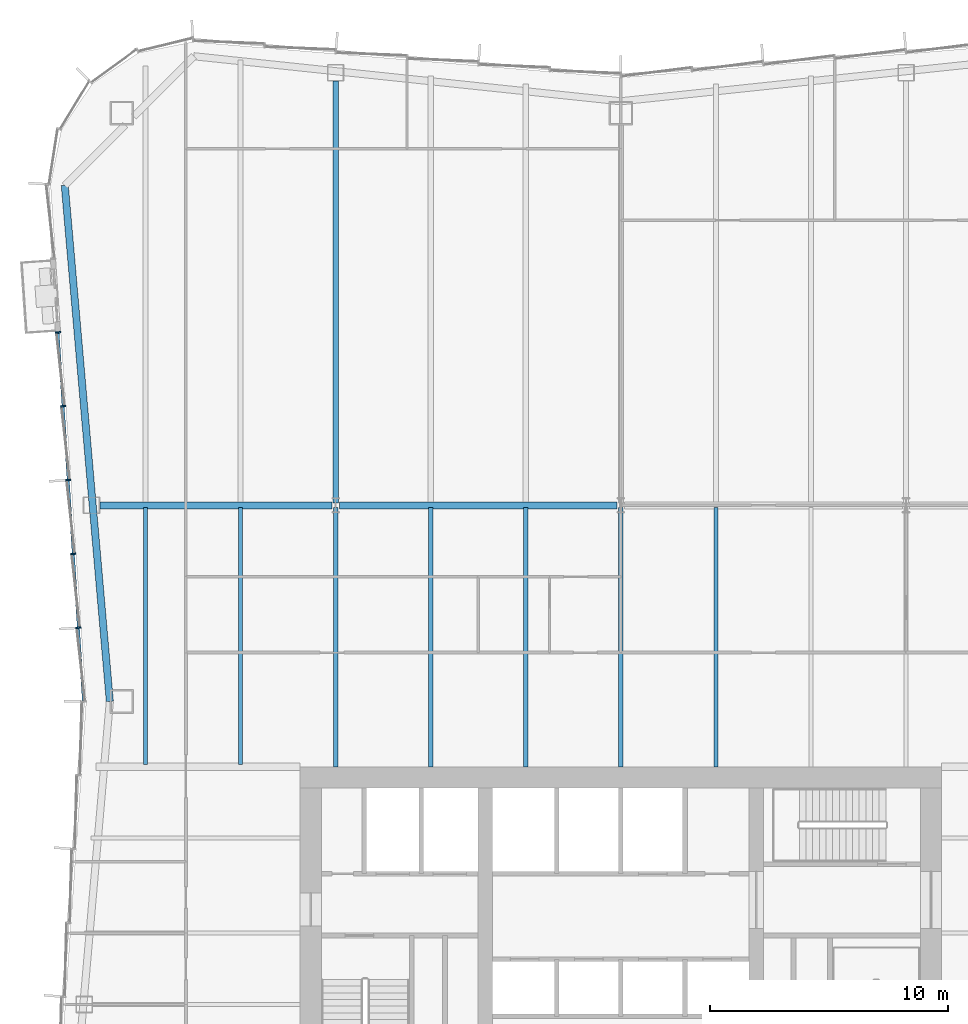
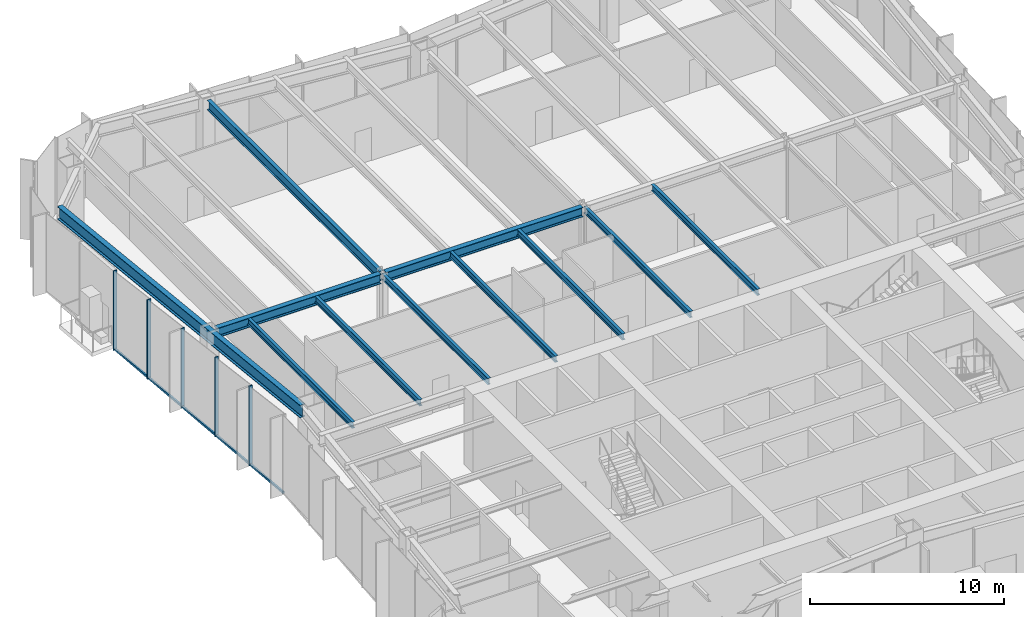
# One storey, part 4 of 16: 11 beams, 6 members, 1 element without a shape of its own.
"""IFC4 building model written with IfcOpenShell, lengths in metres."""

from ifc_helpers import new_model, si_unit, direction, frame, origin, origin_2d, place, context, subcontext, project, spatial, rectangle, i_section, extrude, material, material_profile, profile_set, type_object, element, aggregate, save


model = new_model("IFC4")

# Units and contexts
model_context = context("Model", 3, precision=1e-05, world=origin(), true_north=direction((0.0, 1.0)))
body_context = subcontext(model_context, "Body", "Model", "MODEL_VIEW")
ifc_project = project(units=[si_unit("LENGTHUNIT", "METRE"), si_unit("AREAUNIT", "SQUARE_METRE"), si_unit("VOLUMEUNIT", "CUBIC_METRE"), si_unit("PLANEANGLEUNIT", "RADIAN"), si_unit("MASSUNIT", "GRAM", prefix="KILO")], contexts=[model_context])

# Site, building, storey
site_placement = place(None, origin())
site = spatial("IfcSite", under=ifc_project, at=site_placement, CompositionType="ELEMENT")
building_placement = place(site_placement, origin())
building = spatial("IfcBuilding", under=site, at=building_placement, Name="Verdant Reach Tower", CompositionType="ELEMENT")
storey_placement = place(building_placement, frame((0.0, 0.0, 177.0)))
storey = spatial("IfcBuildingStorey", under=building, at=storey_placement, Name="L40", CompositionType="ELEMENT", Elevation=177.0)

# Curtain wall, members
ifc_material_1 = material(Name="Anodised aluminium", Category="aluminium")
curtain_wall_type = type_object("IfcCurtainWallType", Name="EN-CW SYSTEM Z3", PredefinedType="NOTDEFINED", material=ifc_material_1)
curtain_wall_placement = place(storey_placement, origin())
curtain_wall = element("IfcCurtainWall", 1, at=curtain_wall_placement, inside=storey, type_object=curtain_wall_type, Name="Curtain wall west, L40", PredefinedType="NOTDEFINED")
ifc_material_profile_1 = material_profile(ifc_material_1, rectangle(XDim=0.218017578125, YDim=0.06591796875, at=origin_2d()), Name="Mullion 66x218")
ifc_profile_set_1 = profile_set([ifc_material_profile_1], Name="Anodised aluminium")
member_type_1 = type_object("IfcMemberType", Name="EN-MULLION Z3", PredefinedType="MULLION", material=ifc_profile_set_1)
member_1_placement = place(storey_placement, frame((-23.68017578125, 56.7783203125, -0.35009765625), z_axis=(0.0, 0.0, 1.0), x_axis=(-0.997630328423, -0.068802091615, 0.0)))
member_1 = element("IfcMember", 2, at=member_1_placement, type_object=member_type_1, Name="Mullion west face part 1 3, L40", PredefinedType="MULLION", context=body_context, shape_type="SweptSolid", body=[
    extrude(rectangle(XDim=0.218017578125, YDim=0.06591796875, at=origin_2d()), origin(), (0.0, 0.0, 1.0), 5.0),
])
member_2_placement = place(storey_placement, frame((-23.4658203125, 53.671142578125, -0.35009765625), z_axis=(0.0, 0.0, 1.0), x_axis=(-0.997630328423, -0.068802091615, 0.0)))
member_2 = element("IfcMember", 3, at=member_2_placement, type_object=member_type_1, Name="Mullion west face part 1 4, L40", PredefinedType="MULLION", context=body_context, shape_type="SweptSolid", body=[
    extrude(rectangle(XDim=0.218017578125, YDim=0.06591796875, at=origin_2d()), origin(), (0.0, 0.0, 1.0), 5.0),
])
member_3_placement = place(storey_placement, frame((-23.251708984375, 50.56396484375, -0.35009765625), z_axis=(0.0, 0.0, 1.0), x_axis=(-0.997630328423, -0.068802091615, 0.0)))
member_3 = element("IfcMember", 4, at=member_3_placement, type_object=member_type_1, Name="Mullion west face part 1 5, L40", PredefinedType="MULLION", context=body_context, shape_type="SweptSolid", body=[
    extrude(rectangle(XDim=0.218017578125, YDim=0.06591796875, at=origin_2d()), origin(), (0.0, 0.0, 1.0), 5.0),
])
member_4_placement = place(storey_placement, frame((-23.037353515625, 47.456787109375, -0.35009765625), z_axis=(0.0, 0.0, 1.0), x_axis=(-0.997630328423, -0.068802091615, 0.0)))
member_4 = element("IfcMember", 5, at=member_4_placement, type_object=member_type_1, Name="Mullion west face part 1 6, L40", PredefinedType="MULLION", context=body_context, shape_type="SweptSolid", body=[
    extrude(rectangle(XDim=0.218017578125, YDim=0.06591796875, at=origin_2d()), origin(), (0.0, 0.0, 1.0), 5.0),
])
member_5_placement = place(storey_placement, frame((-22.822998046875, 44.349609375, -0.35009765625), z_axis=(0.0, 0.0, 1.0), x_axis=(-0.997630328423, -0.068802091615, 0.0)))
member_5 = element("IfcMember", 6, at=member_5_placement, type_object=member_type_1, Name="Mullion west face part 1 7, L40", PredefinedType="MULLION", context=body_context, shape_type="SweptSolid", body=[
    extrude(rectangle(XDim=0.218017578125, YDim=0.06591796875, at=origin_2d()), origin(), (0.0, 0.0, 1.0), 5.0),
])
ifc_material_profile_2 = material_profile(ifc_material_1, rectangle(XDim=0.10009765625, YDim=0.1259765625, at=origin_2d()), Name="Transom 126x100")
ifc_profile_set_2 = profile_set([ifc_material_profile_2], Name="Anodised aluminium")
member_type_2 = type_object("IfcMemberType", Name="EN-TRANSOM Z3", PredefinedType="USERDEFINED", material=ifc_profile_set_2)
member_6_placement = place(storey_placement, frame((-23.677978515625, 56.745361328125, -0.287109375), z_axis=(0.068819931299, -0.99762909794, 0.0), x_axis=(0.99762909794, 0.068819931299, 0.0)))
member_6 = element("IfcMember", 7, at=member_6_placement, type_object=member_type_2, Name="Transom west face part 1 2.1, L40", ObjectType="TRANSOM", PredefinedType="USERDEFINED", context=body_context, shape_type="SweptSolid", body=[
    extrude(rectangle(XDim=0.10009765625, YDim=0.1259765625, at=origin_2d()), origin(), (0.0, 0.0, 1.0), 15.499267578125),
])
aggregate(curtain_wall, [member_1, member_2, member_3, member_4, member_5, member_6])

# Beams
ifc_material_2 = material(Name="Steel S355", Category="steel")
ifc_material_profile_3 = material_profile(ifc_material_2, i_section(OverallWidth=0.300048828125, OverallDepth=0.60009765625, WebThickness=0.015380859375, FlangeThickness=0.030029296875, FilletRadius=0.027099609375, at=origin_2d()), Name="HEB 600")
ifc_profile_set_3 = profile_set([ifc_material_profile_3], Name="Steel S355")
beam_type_1 = type_object("IfcBeamType", Name="ST-BEAM-HEB600", PredefinedType="BEAM", material=ifc_profile_set_3)
beam_1_placement = place(storey_placement, frame((-21.9189453125, 49.5, 4.570068359375), z_axis=(1.0, 0.0, 0.0), x_axis=(0.0, 1.0, 0.0)))
element("IfcBeam", 8, at=beam_1_placement, inside=storey, type_object=beam_type_1, Name="Row girder, L40", PredefinedType="BEAM", context=body_context, shape_type="SweptSolid", body=[
    extrude(i_section(OverallWidth=0.300048828125, OverallDepth=0.60009765625, WebThickness=0.015380859375, FlangeThickness=0.030029296875, FilletRadius=0.027099609375, at=origin_2d()), origin(), (0.0, 0.0, 1.0), 9.766357421875),
])
beam_2_placement = place(storey_placement, frame((-11.847412109375, 49.5, 4.570068359375), z_axis=(1.0, 0.0, 0.0), x_axis=(0.0, 1.0, 0.0)))
element("IfcBeam", 9, at=beam_2_placement, inside=storey, type_object=beam_type_1, Name="Row girder, L40", PredefinedType="BEAM", context=body_context, shape_type="SweptSolid", body=[
    extrude(i_section(OverallWidth=0.300048828125, OverallDepth=0.60009765625, WebThickness=0.015380859375, FlangeThickness=0.030029296875, FilletRadius=0.027099609375, at=origin_2d()), origin(), (0.0, 0.0, 1.0), 11.69482421875),
])
ifc_material_profile_4 = material_profile(ifc_material_2, i_section(OverallWidth=0.179931640625, OverallDepth=0.39990234375, WebThickness=0.008544921875, FlangeThickness=0.013427734375, FilletRadius=0.02099609375, at=origin_2d()), Name="IPE 400")
ifc_profile_set_4 = profile_set([ifc_material_profile_4], Name="Steel S355")
beam_type_2 = type_object("IfcBeamType", Name="ST-JOIST-IPE400", PredefinedType="JOIST", material=ifc_profile_set_4)
for number, where, z_axis, x_axis, name in (
    (10, (-20.0, 38.60009765625, 4.669921875), (0.0, 1.0, 0.0), (-1.0, 0.0, 0.0), "Floor joist, L40"),
    (11, (-16.0, 38.60009765625, 4.669921875), (0.0, 1.0, 0.0), (-1.0, 0.0, 0.0), "Floor joist, L40"),
):
    element("IfcBeam", number, at=place(storey_placement, frame(where, z_axis=z_axis, x_axis=x_axis)), inside=storey, type_object=beam_type_2, Name=name, PredefinedType="JOIST", context=body_context, shape_type="SweptSolid", body=[
        extrude(i_section(OverallWidth=0.179931640625, OverallDepth=0.39990234375, WebThickness=0.008544921875, FlangeThickness=0.013427734375, FilletRadius=0.02099609375, at=origin_2d()), origin(), (0.0, 0.0, 1.0), 10.7998046875),
    ])
for number, where, z_axis, x_axis, name in (
    (12, (-12.0, 38.5, 4.669921875), (0.0, 1.0, 0.0), (-1.0, 0.0, 0.0), "Floor joist, L40"),
    (13, (-8.0, 38.5, 4.669921875), (0.0, 1.0, 0.0), (-1.0, 0.0, 0.0), "Floor joist, L40"),
    (14, (-4.0, 38.5, 4.669921875), (0.0, 1.0, 0.0), (-1.0, 0.0, 0.0), "Floor joist, L40"),
    (15, (0.0, 38.5, 4.669921875), (0.0, 1.0, 0.0), (-1.0, 0.0, 0.0), "Floor joist, L40"),
    (16, (4.0, 38.5, 4.669921875), (0.0, 1.0, 0.0), (-1.0, 0.0, 0.0), "Floor joist, L40"),
):
    element("IfcBeam", number, at=place(storey_placement, frame(where, z_axis=z_axis, x_axis=x_axis)), inside=storey, type_object=beam_type_2, Name=name, PredefinedType="JOIST", context=body_context, shape_type="SweptSolid", body=[
        extrude(i_section(OverallWidth=0.179931640625, OverallDepth=0.39990234375, WebThickness=0.008544921875, FlangeThickness=0.013427734375, FilletRadius=0.02099609375, at=origin_2d()), origin(), (0.0, 0.0, 1.0), 10.89990234375),
    ])
ifc_material_profile_5 = material_profile(ifc_material_2, i_section(OverallWidth=0.219970703125, OverallDepth=0.60009765625, WebThickness=0.011962890625, FlangeThickness=0.01904296875, FilletRadius=0.02392578125, at=origin_2d()), Name="IPE 600")
ifc_profile_set_5 = profile_set([ifc_material_profile_5], Name="Steel S355")
beam_type_3 = type_object("IfcBeamType", Name="ST-JOIST-IPE600", PredefinedType="JOIST", material=ifc_profile_set_5)
beam_3_placement = place(storey_placement, frame((-12.0, 49.60009765625, 4.570068359375), z_axis=(0.0, 1.0, 0.0), x_axis=(-1.0, 0.0, 0.0)))
element("IfcBeam", 17, at=beam_3_placement, inside=storey, type_object=beam_type_3, Name="Floor joist, L40", PredefinedType="JOIST", context=body_context, shape_type="SweptSolid", body=[
    extrude(i_section(OverallWidth=0.219970703125, OverallDepth=0.60009765625, WebThickness=0.011962890625, FlangeThickness=0.01904296875, FilletRadius=0.02392578125, at=origin_2d()), origin(), (0.0, 0.0, 1.0), 17.75),
])
ifc_material_profile_6 = material_profile(ifc_material_2, i_section(OverallWidth=0.300048828125, OverallDepth=0.800048828125, WebThickness=0.017578125, FlangeThickness=0.032958984375, FilletRadius=0.030029296875, at=origin_2d()), Name="HEB 800")
ifc_profile_set_6 = profile_set([ifc_material_profile_6], Name="Steel S355")
beam_type_4 = type_object("IfcBeamType", Name="ST-SPANDREL-HEB800", PredefinedType="SPANDREL", material=ifc_profile_set_6)
beam_4_placement = place(storey_placement, frame((-21.5, 41.25, 4.469970703125), z_axis=(-0.086996024331, 0.996208658741, 0.0), x_axis=(-0.996208658741, -0.086996024331, 0.0)))
element("IfcBeam", 18, at=beam_4_placement, inside=storey, type_object=beam_type_4, Name="Edge beam, L40", PredefinedType="SPANDREL", context=body_context, shape_type="SweptSolid", body=[
    extrude(i_section(OverallWidth=0.300048828125, OverallDepth=0.800048828125, WebThickness=0.017578125, FlangeThickness=0.032958984375, FilletRadius=0.030029296875, at=origin_2d()), origin(), (0.0, 0.0, 1.0), 21.7939453125),
])

save(model, "model.ifc")
